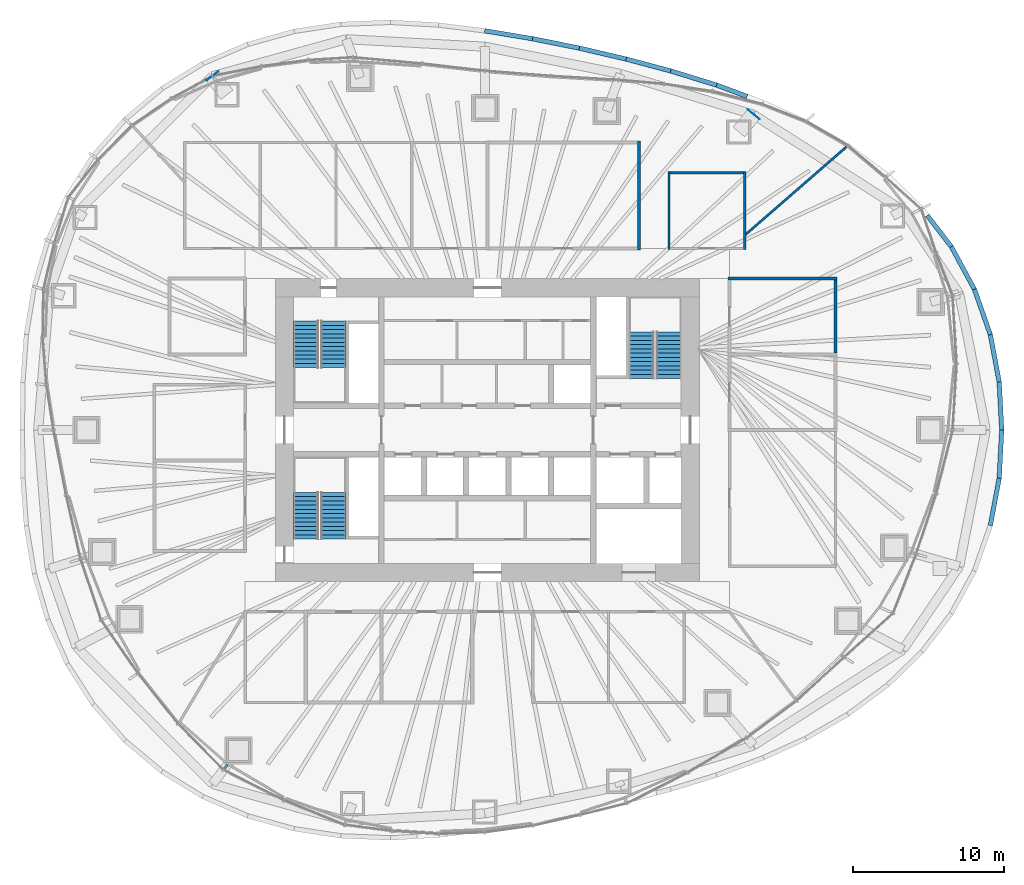
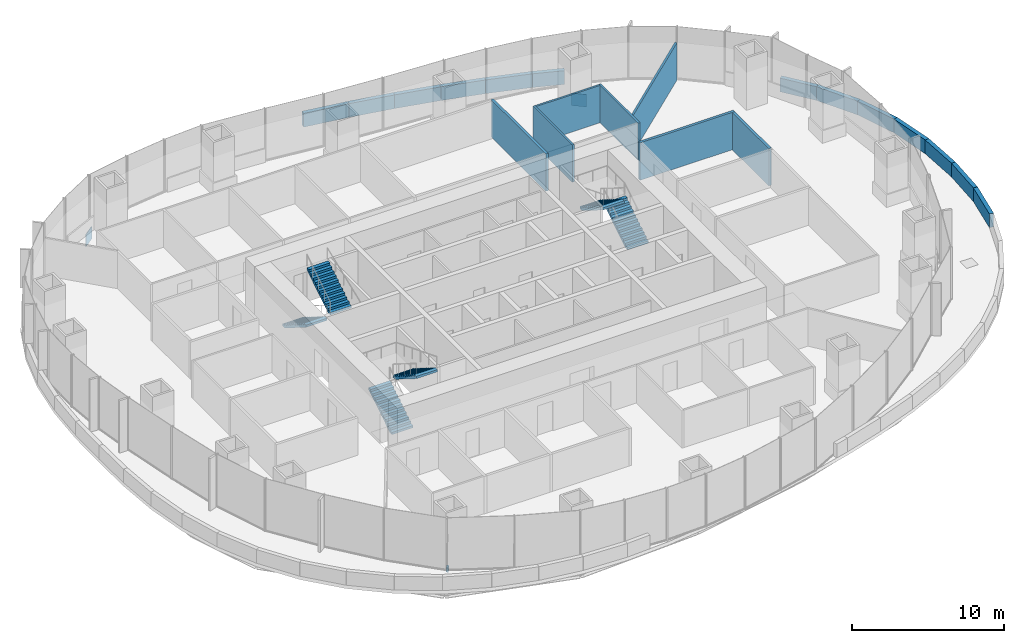
# One storey, part 12 of 20: 20 walls, 6 stair flights, 3 discrete accessories, 3 elements without a shape of their own.
"""IFC4 building model written with IfcOpenShell, lengths in metres."""

from ifc_helpers import new_model, si_unit, direction, frame, frame_2d, origin, origin_2d, place, context, subcontext, project, spatial, polyline, rectangle, outline, extrude, material, layer, layer_set, material_profile, profile_set, type_object, element, aggregate, save


model = new_model("IFC4")

# Units and contexts
model_context = context("Model", 3, precision=1e-05, world=origin(), true_north=direction((0.0, 1.0)))
body_context = subcontext(model_context, "Body", "Model", "MODEL_VIEW")
ifc_project = project(units=[si_unit("LENGTHUNIT", "METRE"), si_unit("AREAUNIT", "SQUARE_METRE"), si_unit("VOLUMEUNIT", "CUBIC_METRE"), si_unit("PLANEANGLEUNIT", "RADIAN"), si_unit("MASSUNIT", "GRAM", prefix="KILO")], contexts=[model_context])

# Site, building, storey
site_placement = place(None, origin())
site = spatial("IfcSite", under=ifc_project, at=site_placement, CompositionType="ELEMENT")
building_placement = place(site_placement, origin())
building = spatial("IfcBuilding", under=site, at=building_placement, Name="Ghaith Harvest Tower", CompositionType="ELEMENT")
storey_placement = place(building_placement, frame((0.0, 0.0, 105.0)))
storey = spatial("IfcBuildingStorey", under=building, at=storey_placement, Name="L21", CompositionType="ELEMENT", Elevation=105.0)

# Walls
ifc_material_1 = material(Name="Twin-stud gypsum board, acoustic", Category="gypsum")
ifc_layer_1 = layer(ifc_material_1, 0.199951171875)
ifc_layer_set_1 = layer_set([ifc_layer_1], Name="ACOUSTIC PARTITION 200")
wall_type_1 = type_object("IfcWallType", Name="ACOUSTIC PARTITION 200", PredefinedType="PARTITIONING", material=ifc_layer_set_1)
for number, where, z_axis, x_axis, name in (
    (1, (10.0, 11.89990234375, 0.0), (0.0, 0.0, 1.0), (0.0, 1.0, 0.0), "Partition L21 row N1 cross wall 6"),
    (2, (15.89990234375, 10.0, 0.0), (0.0, 0.0, 1.0), (1.0, 0.0, 0.0), "Partition L21 row E3 cross wall 4"),
):
    element("IfcWall", number, at=place(storey_placement, frame(where, z_axis=z_axis, x_axis=x_axis)), inside=storey, type_object=wall_type_1, Name=name, PredefinedType="PARTITIONING", context=body_context, shape_type="SweptSolid", body=[
        extrude(rectangle(XDim=7.2001953125, YDim=0.199951171875, at=frame_2d((3.60009765625, 0.0))), origin(), (0.0, 0.0, 1.0), 3.0),
    ])
wall_1_placement = place(storey_placement, frame((23.0, 5.10009765625, 0.0), z_axis=(0.0, 0.0, 1.0), x_axis=(0.0, 1.0, 0.0)))
element("IfcWall", 3, at=wall_1_placement, inside=storey, type_object=wall_type_1, Name="Partition L21-09", PredefinedType="PARTITIONING", context=body_context, shape_type="SweptSolid", body=[
    extrude(rectangle(XDim=4.7998046875, YDim=0.199951171875, at=frame_2d((2.39990234375, 0.0))), origin(), (0.0, 0.0, 1.0), 3.0),
])
ifc_material_2 = material(Name="Concrete C40/50", Category="concrete")
ifc_layer_2 = layer(ifc_material_2, 0.300048828125)
ifc_layer_set_2 = layer_set([ifc_layer_2], Name="PARAPET 300")
wall_type_2 = type_object("IfcWallType", Name="PARAPET 300", PredefinedType="PARAPET", material=ifc_layer_set_2)
wall_2_placement = place(storey_placement, frame((33.97509765625, 0.0, 0.0), z_axis=(0.0, 0.0, 1.0), x_axis=(-0.052132299038, 0.998640187153, 0.0)))
element("IfcWall", 4, at=wall_2_placement, inside=storey, type_object=wall_type_2, Name="Parapet 01.1 L21", PredefinedType="PARAPET", context=body_context, shape_type="SweptSolid", body=[
    extrude(rectangle(XDim=3.1845703125, YDim=0.300048828125, at=frame_2d((1.59228515625, 0.0))), origin(), (0.0, 0.0, 1.0), 1.10009765625),
])
wall_3_placement = place(storey_placement, frame((33.80908203125, 3.18017578125, 0.0), z_axis=(0.0, 0.0, 1.0), x_axis=(-0.1838759622, 0.982949454715, 0.0)))
element("IfcWall", 5, at=wall_3_placement, inside=storey, type_object=wall_type_2, Name="Parapet 01.2 L21", PredefinedType="PARAPET", context=body_context, shape_type="SweptSolid", body=[
    extrude(rectangle(XDim=3.179931640625, YDim=0.300048828125, at=frame_2d((1.58984375, 0.0))), origin(), (0.0, 0.0, 1.0), 1.10009765625),
])
wall_4_placement = place(storey_placement, frame((33.224365234375, 6.305908203125, 0.0), z_axis=(0.0, 0.0, 1.0), x_axis=(-0.331036014353, 0.943618120429, 0.0)))
element("IfcWall", 6, at=wall_4_placement, inside=storey, type_object=wall_type_2, Name="Parapet 01.3 L21", PredefinedType="PARAPET", context=body_context, shape_type="SweptSolid", body=[
    extrude(rectangle(XDim=3.172119140625, YDim=0.300048828125, at=frame_2d((1.5859375, 0.0))), origin(), (0.0, 0.0, 1.0), 1.10009765625),
])
wall_5_placement = place(storey_placement, frame((32.17431640625, 9.299072265625, 0.0), z_axis=(0.0, 0.0, 1.0), x_axis=(-0.476977537346, 0.878915484485, 0.0)))
element("IfcWall", 7, at=wall_5_placement, inside=storey, type_object=wall_type_2, Name="Parapet 02.1 L21", PredefinedType="PARAPET", context=body_context, shape_type="SweptSolid", body=[
    extrude(rectangle(XDim=3.20458984375, YDim=0.300048828125, at=frame_2d((1.602294921875, 0.0))), origin(), (0.0, 0.0, 1.0), 1.10009765625),
])
wall_6_placement = place(storey_placement, frame((30.645751953125, 12.11572265625, 0.0), z_axis=(0.0, 0.0, 1.0), x_axis=(-0.60911150664, 0.79308459352, 0.0)))
element("IfcWall", 8, at=wall_6_placement, inside=storey, type_object=wall_type_2, Name="Parapet 02.2 L21", PredefinedType="PARAPET", context=body_context, shape_type="SweptSolid", body=[
    extrude(rectangle(XDim=2.599609375, YDim=0.300048828125, at=frame_2d((1.2998046875, 0.0))), origin(), (0.0, 0.0, 1.0), 1.10009765625),
])
wall_7_placement = place(storey_placement, frame((17.160888671875, 22.04248046875, 0.0), z_axis=(0.0, 0.0, 1.0), x_axis=(-0.937804730648, 0.347163199626, 0.0)))
element("IfcWall", 9, at=wall_7_placement, inside=storey, type_object=wall_type_2, Name="Parapet 04.1 L21", PredefinedType="PARAPET", context=body_context, shape_type="SweptSolid", body=[
    extrude(rectangle(XDim=2.15673828125, YDim=0.300048828125, at=frame_2d((1.078369140625, 0.0))), origin(), (0.0, 0.0, 1.0), 1.10009765625),
])
wall_8_placement = place(storey_placement, frame((15.13818359375, 22.791259765625, 0.0), z_axis=(0.0, 0.0, 1.0), x_axis=(-0.955637225942, 0.294546248312, 0.0)))
element("IfcWall", 10, at=wall_8_placement, inside=storey, type_object=wall_type_2, Name="Parapet 04.2 L21", PredefinedType="PARAPET", context=body_context, shape_type="SweptSolid", body=[
    extrude(rectangle(XDim=3.1669921875, YDim=0.300048828125, at=frame_2d((1.58349609375, 0.0))), origin(), (0.0, 0.0, 1.0), 1.10009765625),
])
wall_9_placement = place(storey_placement, frame((12.111572265625, 23.72412109375, 0.0), z_axis=(0.0, 0.0, 1.0), x_axis=(-0.966250871543, 0.257602898358, 0.0)))
element("IfcWall", 11, at=wall_9_placement, inside=storey, type_object=wall_type_2, Name="Parapet 04.3 L21", PredefinedType="PARAPET", context=body_context, shape_type="SweptSolid", body=[
    extrude(rectangle(XDim=3.0517578125, YDim=0.300048828125, at=frame_2d((1.52587890625, 0.0))), origin(), (0.0, 0.0, 1.0), 1.10009765625),
])
wall_10_placement = place(storey_placement, frame((9.162841796875, 24.51025390625, 0.0), z_axis=(0.0, 0.0, 1.0), x_axis=(-0.973728128257, 0.22771370675, 0.0)))
element("IfcWall", 12, at=wall_10_placement, inside=storey, type_object=wall_type_2, Name="Parapet 05.1 L21", PredefinedType="PARAPET", context=body_context, shape_type="SweptSolid", body=[
    extrude(rectangle(XDim=3.17236328125, YDim=0.300048828125, at=frame_2d((1.586181640625, 0.0))), origin(), (0.0, 0.0, 1.0), 1.10009765625),
])
wall_11_placement = place(storey_placement, frame((6.07373046875, 25.232666015625, 0.0), z_axis=(0.0, 0.0, 1.0), x_axis=(-0.980383901988, 0.197097449812, 0.0)))
element("IfcWall", 13, at=wall_11_placement, inside=storey, type_object=wall_type_2, Name="Parapet 05.2 L21", PredefinedType="PARAPET", context=body_context, shape_type="SweptSolid", body=[
    extrude(rectangle(XDim=3.157470703125, YDim=0.300048828125, at=frame_2d((1.57861328125, 0.0))), origin(), (0.0, 0.0, 1.0), 1.10009765625),
])
wall_12_placement = place(storey_placement, frame((2.978271484375, 25.85498046875, 0.0), z_axis=(0.0, 0.0, 1.0), x_axis=(-0.986607428229, 0.163112790925, 0.0)))
element("IfcWall", 14, at=wall_12_placement, inside=storey, type_object=wall_type_2, Name="Parapet 05.3 L21", PredefinedType="PARAPET", context=body_context, shape_type="SweptSolid", body=[
    extrude(rectangle(XDim=3.20166015625, YDim=0.300048828125, at=frame_2d((1.600830078125, 0.0))), origin(), (0.0, 0.0, 1.0), 1.10009765625),
])
wall_13_placement = place(storey_placement, frame((33.224365234375, -6.305908203125, 0.0), z_axis=(0.0, 0.0, 1.0), x_axis=(0.1838759622, 0.982949454715, 0.0)))
element("IfcWall", 15, at=wall_13_placement, inside=storey, type_object=wall_type_2, Name="Parapet 20.2 L21", PredefinedType="PARAPET", context=body_context, shape_type="SweptSolid", body=[
    extrude(rectangle(XDim=3.179931640625, YDim=0.300048828125, at=frame_2d((1.58984375, 0.0))), origin(), (0.0, 0.0, 1.0), 1.10009765625),
])
wall_14_placement = place(storey_placement, frame((33.80908203125, -3.18017578125, 0.0), z_axis=(0.0, 0.0, 1.0), x_axis=(0.052132299038, 0.998640187153, 0.0)))
element("IfcWall", 16, at=wall_14_placement, inside=storey, type_object=wall_type_2, Name="Parapet 20.3 L21", PredefinedType="PARAPET", context=body_context, shape_type="SweptSolid", body=[
    extrude(rectangle(XDim=3.1845703125, YDim=0.300048828125, at=frame_2d((1.59228515625, 0.0))), origin(), (0.0, 0.0, 1.0), 1.10009765625),
])
ifc_material_3 = material(Name="Gypsum board on steel studs", Category="steel")
ifc_layer_3 = layer(ifc_material_3, 0.14990234375)
ifc_layer_set_3 = layer_set([ifc_layer_3], Name="PARTITION 150")
wall_type_3 = type_object("IfcWallType", Name="PARTITION 150", PredefinedType="PARTITIONING", material=ifc_layer_set_3)
for number, where, z_axis, x_axis, name in (
    (17, (12.0, 11.925048828125, 0.0), (0.0, 0.0, 1.0), (0.0, 1.0, 0.0), "Partition L21 row N2 cross wall 1"),
    (18, (17.0, 11.925048828125, 0.0), (0.0, 0.0, 1.0), (0.0, 1.0, 0.0), "Partition L21 row N2 cross wall 2"),
):
    element("IfcWall", number, at=place(storey_placement, frame(where, z_axis=z_axis, x_axis=x_axis)), inside=storey, type_object=wall_type_3, Name=name, PredefinedType="PARTITIONING", context=body_context, shape_type="SweptSolid", body=[
        extrude(rectangle(XDim=5.14990234375, YDim=0.14990234375, at=frame_2d((2.574951171875, 0.0))), origin(), (0.0, 0.0, 1.0), 3.0),
    ])
wall_15_placement = place(storey_placement, frame((12.074951171875, 17.0, 0.0), z_axis=(0.0, 0.0, 1.0), x_axis=(1.0, 0.0, 0.0)))
element("IfcWall", 19, at=wall_15_placement, inside=storey, type_object=wall_type_3, Name="Partition L21-06", PredefinedType="PARTITIONING", context=body_context, shape_type="SweptSolid", body=[
    extrude(rectangle(XDim=4.85009765625, YDim=0.14990234375, at=frame_2d((2.425048828125, 0.0))), origin(), (0.0, 0.0, 1.0), 3.0),
])
wall_16_placement = place(storey_placement, frame((17.02001953125, 12.88671875, 0.0), z_axis=(0.0, 0.0, 1.0), x_axis=(0.75468613342, 0.656086000479, 0.0)))
element("IfcWall", 20, at=wall_16_placement, inside=storey, type_object=wall_type_3, Name="Partition L21 zone division", PredefinedType="PARTITIONING", context=body_context, shape_type="SweptSolid", body=[
    extrude(rectangle(XDim=8.86669921875, YDim=0.14990234375, at=frame_2d((4.433349609375, 0.0))), origin(), (0.0, 0.0, 1.0), 3.0),
])

# Stair, stair flights
ifc_material_4 = material(Name="Concrete C40/50, precast", Category="concrete")
stair_type = type_object("IfcStairType", Name="CORE STAIR 24R", PredefinedType="HALF_TURN_STAIR", material=ifc_material_4)
stair_1_placement = place(storey_placement, origin())
stair_1 = element("IfcStair", 21, at=stair_1_placement, inside=storey, type_object=stair_type, Name="Stair ST1 L21", PredefinedType="HALF_TURN_STAIR")
ifc_material_5 = material(Name="Concrete C40/50, precast", Category="concrete")
stair_flight_type = type_object("IfcStairFlightType", Name="CORE FLIGHT 12R 1600", PredefinedType="STRAIGHT", material=ifc_material_5)
stair_flight_1_placement = place(storey_placement, frame((-12.0, 7.199951171875, 0.0), z_axis=(0.0, 0.0, 1.0), x_axis=(0.0, -1.0, 0.0)))
stair_flight_1 = element("IfcStairFlight", 22, at=stair_flight_1_placement, type_object=stair_flight_type, Name="ST1 flight 1", NumberOfRisers=12, NumberOfTreads=11, PredefinedType="STRAIGHT", RiserHeight=0.175, TreadLength=0.28, context=body_context, shape_type="SweptSolid", body=[
    extrude(outline(polyline([(0.0, 0.0), (0.0, 0.175048828125), (0.280029296875, 0.175048828125), (0.280029296875, 0.35009765625), (0.56005859375, 0.35009765625), (0.56005859375, 0.52490234375), (0.840087890625, 0.52490234375), (0.840087890625, 0.699951171875), (1.1201171875, 0.699951171875), (1.1201171875, 0.875), (1.39990234375, 0.875), (1.39990234375, 1.050048828125), (1.679931640625, 1.050048828125), (1.679931640625, 1.22509765625), (1.9599609375, 1.22509765625), (1.9599609375, 1.39990234375), (2.239990234375, 1.39990234375), (2.239990234375, 1.574951171875), (2.52001953125, 1.574951171875), (2.52001953125, 1.75), (2.800048828125, 1.75), (2.800048828125, 1.925048828125), (3.080078125, 1.925048828125), (3.080078125, 2.10009765625), (3.080078125, 1.748291015625), (0.28271484375, 0.0), (0.0, 0.0)])), frame((0.0, 0.800048828125, 0.0), z_axis=(0.0, -1.0, 0.0), x_axis=(1.0, 0.0, 0.0)), (0.0, 0.0, 1.0), 1.60009765625),
])
stair_flight_2_placement = place(storey_placement, frame((-10.14990234375, 4.1201171875, 2.10009765625), z_axis=(0.0, 0.0, 1.0), x_axis=(0.0, 1.0, 0.0)))
stair_flight_2 = element("IfcStairFlight", 23, at=stair_flight_2_placement, type_object=stair_flight_type, Name="ST1 flight 2", NumberOfRisers=12, NumberOfTreads=11, PredefinedType="STRAIGHT", RiserHeight=0.175, TreadLength=0.28, context=body_context, shape_type="SweptSolid", body=[
    extrude(outline(polyline([(0.0, 0.0), (0.0, 0.175048828125), (0.280029296875, 0.175048828125), (0.280029296875, 0.35009765625), (0.56005859375, 0.35009765625), (0.56005859375, 0.52490234375), (0.840087890625, 0.52490234375), (0.840087890625, 0.699951171875), (1.1201171875, 0.699951171875), (1.1201171875, 0.875), (1.39990234375, 0.875), (1.39990234375, 1.050048828125), (1.679931640625, 1.050048828125), (1.679931640625, 1.22509765625), (1.9599609375, 1.22509765625), (1.9599609375, 1.39990234375), (2.239990234375, 1.39990234375), (2.239990234375, 1.574951171875), (2.52001953125, 1.574951171875), (2.52001953125, 1.75), (2.800048828125, 1.75), (2.800048828125, 1.925048828125), (3.080078125, 1.925048828125), (3.080078125, 2.10009765625), (3.080078125, 1.748291015625), (0.28271484375, 0.0), (0.0, 0.0)])), frame((0.0, 0.800048828125, 0.0), z_axis=(0.0, -1.0, 0.0), x_axis=(1.0, 0.0, 0.0)), (0.0, 0.0, 1.0), 1.60009765625),
])
aggregate(stair_1, [stair_flight_1, stair_flight_2])

stair_2_placement = place(storey_placement, origin())
stair_2 = element("IfcStair", 24, at=stair_2_placement, inside=storey, type_object=stair_type, Name="Stair ST3 L21", PredefinedType="HALF_TURN_STAIR")
stair_flight_3_placement = place(storey_placement, frame((-12.0, -7.199951171875, 0.0), z_axis=(0.0, 0.0, 1.0), x_axis=(0.0, 1.0, 0.0)))
stair_flight_3 = element("IfcStairFlight", 25, at=stair_flight_3_placement, type_object=stair_flight_type, Name="ST3 flight 1", NumberOfRisers=12, NumberOfTreads=11, PredefinedType="STRAIGHT", RiserHeight=0.175, TreadLength=0.28, context=body_context, shape_type="SweptSolid", body=[
    extrude(outline(polyline([(0.0, 0.0), (0.0, 0.175048828125), (0.280029296875, 0.175048828125), (0.280029296875, 0.35009765625), (0.56005859375, 0.35009765625), (0.56005859375, 0.52490234375), (0.840087890625, 0.52490234375), (0.840087890625, 0.699951171875), (1.1201171875, 0.699951171875), (1.1201171875, 0.875), (1.39990234375, 0.875), (1.39990234375, 1.050048828125), (1.679931640625, 1.050048828125), (1.679931640625, 1.22509765625), (1.9599609375, 1.22509765625), (1.9599609375, 1.39990234375), (2.239990234375, 1.39990234375), (2.239990234375, 1.574951171875), (2.52001953125, 1.574951171875), (2.52001953125, 1.75), (2.800048828125, 1.75), (2.800048828125, 1.925048828125), (3.080078125, 1.925048828125), (3.080078125, 2.10009765625), (3.080078125, 1.748291015625), (0.28271484375, 0.0), (0.0, 0.0)])), frame((0.0, 0.800048828125, 0.0), z_axis=(0.0, -1.0, 0.0), x_axis=(1.0, 0.0, 0.0)), (0.0, 0.0, 1.0), 1.60009765625),
])
stair_flight_4_placement = place(storey_placement, frame((-10.14990234375, -4.1201171875, 2.10009765625), z_axis=(0.0, 0.0, 1.0), x_axis=(0.0, -1.0, 0.0)))
stair_flight_4 = element("IfcStairFlight", 26, at=stair_flight_4_placement, type_object=stair_flight_type, Name="ST3 flight 2", NumberOfRisers=12, NumberOfTreads=11, PredefinedType="STRAIGHT", RiserHeight=0.175, TreadLength=0.28, context=body_context, shape_type="SweptSolid", body=[
    extrude(outline(polyline([(0.0, 0.0), (0.0, 0.175048828125), (0.280029296875, 0.175048828125), (0.280029296875, 0.35009765625), (0.56005859375, 0.35009765625), (0.56005859375, 0.52490234375), (0.840087890625, 0.52490234375), (0.840087890625, 0.699951171875), (1.1201171875, 0.699951171875), (1.1201171875, 0.875), (1.39990234375, 0.875), (1.39990234375, 1.050048828125), (1.679931640625, 1.050048828125), (1.679931640625, 1.22509765625), (1.9599609375, 1.22509765625), (1.9599609375, 1.39990234375), (2.239990234375, 1.39990234375), (2.239990234375, 1.574951171875), (2.52001953125, 1.574951171875), (2.52001953125, 1.75), (2.800048828125, 1.75), (2.800048828125, 1.925048828125), (3.080078125, 1.925048828125), (3.080078125, 2.10009765625), (3.080078125, 1.748291015625), (0.28271484375, 0.0), (0.0, 0.0)])), frame((0.0, 0.800048828125, 0.0), z_axis=(0.0, -1.0, 0.0), x_axis=(1.0, 0.0, 0.0)), (0.0, 0.0, 1.0), 1.60009765625),
])
aggregate(stair_2, [stair_flight_3, stair_flight_4])

stair_3_placement = place(storey_placement, origin())
stair_3 = element("IfcStair", 27, at=stair_3_placement, inside=storey, type_object=stair_type, Name="Stair ST2 L21", PredefinedType="HALF_TURN_STAIR")
stair_flight_5_placement = place(storey_placement, frame((12.0, 3.39990234375, 0.0), z_axis=(0.0, 0.0, 1.0), x_axis=(0.0, 1.0, 0.0)))
stair_flight_5 = element("IfcStairFlight", 28, at=stair_flight_5_placement, type_object=stair_flight_type, Name="ST2 flight 1", NumberOfRisers=12, NumberOfTreads=11, PredefinedType="STRAIGHT", RiserHeight=0.175, TreadLength=0.28, context=body_context, shape_type="SweptSolid", body=[
    extrude(outline(polyline([(0.0, 0.0), (0.0, 0.175048828125), (0.280029296875, 0.175048828125), (0.280029296875, 0.35009765625), (0.56005859375, 0.35009765625), (0.56005859375, 0.52490234375), (0.840087890625, 0.52490234375), (0.840087890625, 0.699951171875), (1.1201171875, 0.699951171875), (1.1201171875, 0.875), (1.39990234375, 0.875), (1.39990234375, 1.050048828125), (1.679931640625, 1.050048828125), (1.679931640625, 1.22509765625), (1.9599609375, 1.22509765625), (1.9599609375, 1.39990234375), (2.239990234375, 1.39990234375), (2.239990234375, 1.574951171875), (2.52001953125, 1.574951171875), (2.52001953125, 1.75), (2.800048828125, 1.75), (2.800048828125, 1.925048828125), (3.080078125, 1.925048828125), (3.080078125, 2.10009765625), (3.080078125, 1.748291015625), (0.28271484375, 0.0), (0.0, 0.0)])), frame((0.0, 0.800048828125, 0.0), z_axis=(0.0, -1.0, 0.0), x_axis=(1.0, 0.0, 0.0)), (0.0, 0.0, 1.0), 1.60009765625),
])
stair_flight_6_placement = place(storey_placement, frame((10.14990234375, 6.47998046875, 2.10009765625), z_axis=(0.0, 0.0, 1.0), x_axis=(0.0, -1.0, 0.0)))
stair_flight_6 = element("IfcStairFlight", 29, at=stair_flight_6_placement, type_object=stair_flight_type, Name="ST2 flight 2", NumberOfRisers=12, NumberOfTreads=11, PredefinedType="STRAIGHT", RiserHeight=0.175, TreadLength=0.28, context=body_context, shape_type="SweptSolid", body=[
    extrude(outline(polyline([(0.0, 0.0), (0.0, 0.175048828125), (0.280029296875, 0.175048828125), (0.280029296875, 0.35009765625), (0.56005859375, 0.35009765625), (0.56005859375, 0.52490234375), (0.840087890625, 0.52490234375), (0.840087890625, 0.699951171875), (1.1201171875, 0.699951171875), (1.1201171875, 0.875), (1.39990234375, 0.875), (1.39990234375, 1.050048828125), (1.679931640625, 1.050048828125), (1.679931640625, 1.22509765625), (1.9599609375, 1.22509765625), (1.9599609375, 1.39990234375), (2.239990234375, 1.39990234375), (2.239990234375, 1.574951171875), (2.52001953125, 1.574951171875), (2.52001953125, 1.75), (2.800048828125, 1.75), (2.800048828125, 1.925048828125), (3.080078125, 1.925048828125), (3.080078125, 2.10009765625), (3.080078125, 1.748291015625), (0.28271484375, 0.0), (0.0, 0.0)])), frame((0.0, 0.800048828125, 0.0), z_axis=(0.0, -1.0, 0.0), x_axis=(1.0, 0.0, 0.0)), (0.0, 0.0, 1.0), 1.60009765625),
])
aggregate(stair_3, [stair_flight_5, stair_flight_6])

# Discrete accessories
ifc_material_6 = material(Name="Steel S460M", Category="steel")
ifc_material_profile = material_profile(ifc_material_6, rectangle(XDim=1.0, YDim=1.0, at=origin_2d()), Name="BOX END PLATE 1000x1000x40")
ifc_profile_set = profile_set([ifc_material_profile], Name="Steel S460M")
discrete_accessory_type_1 = type_object("IfcDiscreteAccessoryType", Name="BOX END PLATE 1000x1000x40", PredefinedType="USERDEFINED", material=ifc_profile_set)
discrete_accessory_1_placement = place(storey_placement, frame((17.57177734375, 20.83740234375, -0.77490234375), z_axis=(0.640184399664, 0.768221279597, 0.0), x_axis=(-0.768221279597, 0.640184399664, 0.0)))
element("IfcDiscreteAccessory", 30, at=discrete_accessory_1_placement, inside=storey, type_object=discrete_accessory_type_1, Name="End plate of setback cantilever G04 L21", ObjectType="END PLATE", PredefinedType="USERDEFINED", context=body_context, shape_type="SweptSolid", body=[
    extrude(rectangle(XDim=1.0, YDim=1.0, at=origin_2d()), origin(), (0.0, 0.0, 1.0), 0.0400390625),
])
discrete_accessory_2_placement = place(storey_placement, frame((-18.15771484375, 23.3798828125, -0.77490234375), z_axis=(-0.612667352841, 0.790340885165, 0.0), x_axis=(-0.790340885165, -0.612667352841, 0.0)))
element("IfcDiscreteAccessory", 31, at=discrete_accessory_2_placement, inside=storey, type_object=discrete_accessory_type_1, Name="End plate of setback cantilever G08 L21", ObjectType="END PLATE", PredefinedType="USERDEFINED", context=body_context, shape_type="SweptSolid", body=[
    extrude(rectangle(XDim=1.0, YDim=1.0, at=origin_2d()), origin(), (0.0, 0.0, 1.0), 0.039794921875),
])
ifc_material_7 = material(Name="Stainless steel grade 1.4401", Category="steel")
discrete_accessory_type_2 = type_object("IfcDiscreteAccessoryType", Name="CURTAIN WALL BRACKET 315", PredefinedType="BRACKET", material=ifc_material_7)
discrete_accessory_3_placement = place(storey_placement, frame((-17.266357421875, -22.232421875, -0.25), z_axis=(0.0, 0.0, 1.0), x_axis=(-0.613377713774, -0.789789706343, 0.0)))
element("IfcDiscreteAccessory", 32, at=discrete_accessory_3_placement, inside=storey, type_object=discrete_accessory_type_2, Name="CW-L bracket 1 bay 14 L21", PredefinedType="BRACKET", context=body_context, shape_type="SweptSolid", body=[
    extrude(rectangle(XDim=0.31494140625, YDim=0.14990234375, at=origin_2d()), origin(), (0.0, 0.0, 1.0), 0.35009765625),
])

save(model, "model.ifc")
